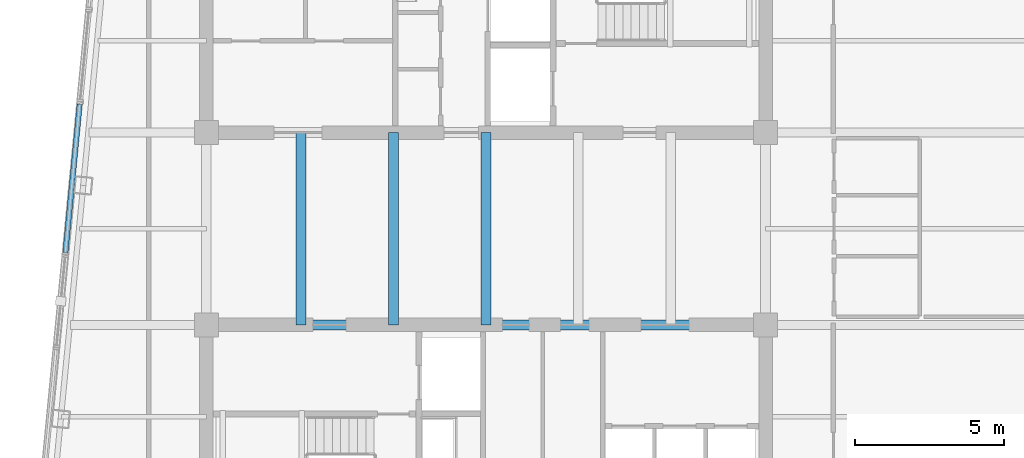
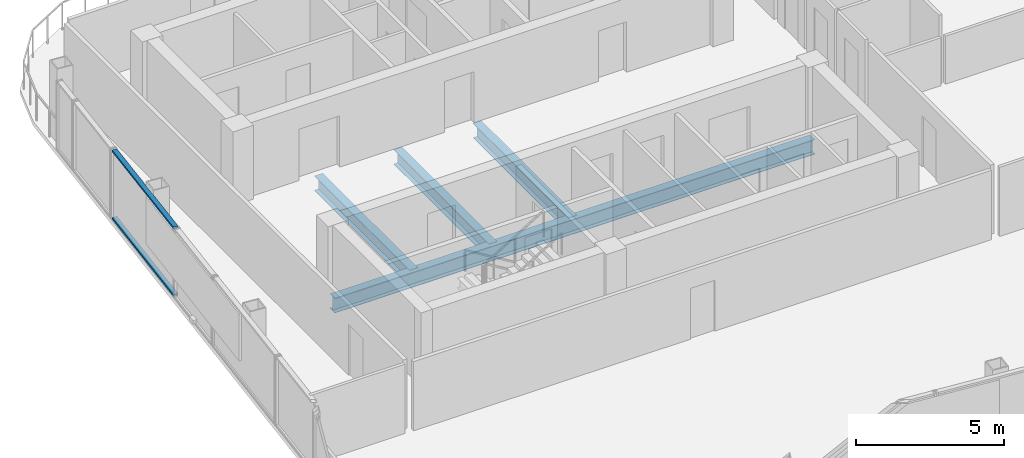
# One storey, part 10 of 26: 4 beams, 2 members, 1 element without a shape of its own.
"""IFC4 building model written with IfcOpenShell, lengths in metres."""

from ifc_helpers import new_model, si_unit, direction, frame, origin, origin_2d, place, context, subcontext, project, spatial, hollow_rectangle, i_section, extrude, material, layer, layer_set, material_profile, profile_set, type_object, element, aggregate, save


model = new_model("IFC4")

# Units and contexts
model_context = context("Model", 3, precision=1e-05, world=origin(), true_north=direction((0.0, 1.0)))
body_context = subcontext(model_context, "Body", "Model", "MODEL_VIEW")
ifc_project = project(units=[si_unit("LENGTHUNIT", "METRE"), si_unit("AREAUNIT", "SQUARE_METRE"), si_unit("VOLUMEUNIT", "CUBIC_METRE"), si_unit("PLANEANGLEUNIT", "RADIAN"), si_unit("MASSUNIT", "GRAM", prefix="KILO")], contexts=[model_context])

# Site, building, storey
site_placement = place(None, origin())
site = spatial("IfcSite", under=ifc_project, at=site_placement, CompositionType="ELEMENT")
building_placement = place(site_placement, origin())
building = spatial("IfcBuilding", under=site, at=building_placement, Name="Qhalaya Broadcast Tower", CompositionType="ELEMENT")
storey_placement = place(building_placement, frame((0.0, 0.0, 248.949951171875)))
storey = spatial("IfcBuildingStorey", under=building, at=storey_placement, Name="L73", CompositionType="ELEMENT", Elevation=248.949951171875)

# Beams
ifc_material_1 = material(Name="Structural Steel ASTM A992 Grade 50", Category="steel")
ifc_material_profile_1 = material_profile(ifc_material_1, i_section(OverallWidth=0.323974609375, OverallDepth=0.612060546875, WebThickness=0.0126953125, FlangeThickness=0.01904296875, at=origin_2d()), Name="W24X104")
ifc_profile_set_1 = profile_set([ifc_material_profile_1], Name="Structural Steel ASTM A992 Grade 50")
beam_type = type_object("IfcBeamType", Name="Core Frame Tie Beam B04", PredefinedType="BEAM", material=ifc_profile_set_1)
beam_placement = place(storey_placement, frame((-9.375, -2.625, -0.495849609375), z_axis=(1.0, 0.0, 0.0), x_axis=(0.0, 1.0, 0.0)))
element("IfcBeam", 1, at=beam_placement, inside=storey, type_object=beam_type, Name="L73 B04 L73-CCS1", PredefinedType="BEAM", context=body_context, shape_type="SweptSolid", body=[
    extrude(i_section(OverallWidth=0.323974609375, OverallDepth=0.612060546875, WebThickness=0.0126953125, FlangeThickness=0.01904296875, at=origin_2d()), origin(), (0.0, 0.0, 1.0), 18.75),
])
for number, where, z_axis, x_axis, name in (
    (2, (-6.199951171875, -2.625, -0.495849609375), (0.0, 1.0, 0.0), (-1.0, 0.0, 0.0), "L73 B04 L73-JC1-1"),
    (3, (-3.10009765625, -2.625, -0.495849609375), (0.0, 1.0, 0.0), (-1.0, 0.0, 0.0), "L73 B04 L73-JC2-1"),
    (4, (0.0, -2.625, -0.495849609375), (0.0, 1.0, 0.0), (-1.0, 0.0, 0.0), "L73 B04 L73-JC3-1"),
):
    element("IfcBeam", number, at=place(storey_placement, frame(where, z_axis=z_axis, x_axis=x_axis)), inside=storey, type_object=beam_type, Name=name, PredefinedType="BEAM", context=body_context, shape_type="SweptSolid", body=[
        extrude(i_section(OverallWidth=0.323974609375, OverallDepth=0.612060546875, WebThickness=0.0126953125, FlangeThickness=0.01904296875, at=origin_2d()), origin(), (0.0, 0.0, 1.0), 6.449951171875),
    ])

# Curtain wall, members
ifc_material_2 = material(Name="Fired Architectural Terracotta", Category="masonry")
ifc_layer = layer(ifc_material_2, 0.219970703125, Name="Fired Architectural Terracotta")
ifc_layer_set = layer_set([ifc_layer], Name="Fired Architectural Terracotta")
curtain_wall_type = type_object("IfcCurtainWallType", Name="Block-Cap Unitised Terracotta Spandrel Wall CW-07", PredefinedType="NOTDEFINED", material=ifc_layer_set)
curtain_wall_placement = place(storey_placement, origin())
curtain_wall = element("IfcCurtainWall", 5, at=curtain_wall_placement, inside=storey, type_object=curtain_wall_type, Name="L73 Unitised Curtain Wall L73-CW-W3", PredefinedType="NOTDEFINED")
ifc_material_3 = material(Name="Anodised Aluminium 6063-T6", Category="aluminium")
ifc_material_profile_2 = material_profile(ifc_material_3, hollow_rectangle(XDim=0.074951171875, YDim=0.179931640625, WallThickness=0.00390625, at=origin_2d()), Name="ALU-TRN 75x180x4")
ifc_profile_set_2 = profile_set([ifc_material_profile_2], Name="Anodised Aluminium 6063-T6")
member_type = type_object("IfcMemberType", Name="Unitised Curtain-Wall Transom T01", PredefinedType="USERDEFINED", material=ifc_profile_set_2)
member_1_placement = place(storey_placement, frame((-13.62158203125, 4.780029296875, 0.03759765625), z_axis=(-0.095862921308, -0.995394545052, 0.0), x_axis=(0.0, 0.0, 1.0)))
member_1 = element("IfcMember", 6, at=member_1_placement, type_object=member_type, Name="CW-07 transom 1.1", ObjectType="TRANSOM", PredefinedType="USERDEFINED", context=body_context, shape_type="SweptSolid", body=[
    extrude(hollow_rectangle(XDim=0.074951171875, YDim=0.179931640625, WallThickness=0.00390625, at=origin_2d()), origin(), (0.0, 0.0, 1.0), 5.0068359375),
])
member_2_placement = place(storey_placement, frame((-13.62158203125, 4.780029296875, 2.822509765625), z_axis=(-0.095862921308, -0.995394545052, 0.0), x_axis=(0.0, 0.0, 1.0)))
member_2 = element("IfcMember", 7, at=member_2_placement, type_object=member_type, Name="CW-07 transom 1.2", ObjectType="TRANSOM", PredefinedType="USERDEFINED", context=body_context, shape_type="SweptSolid", body=[
    extrude(hollow_rectangle(XDim=0.074951171875, YDim=0.179931640625, WallThickness=0.00390625, at=origin_2d()), origin(), (0.0, 0.0, 1.0), 5.0068359375),
])
aggregate(curtain_wall, [member_1, member_2])

save(model, "model.ifc")
